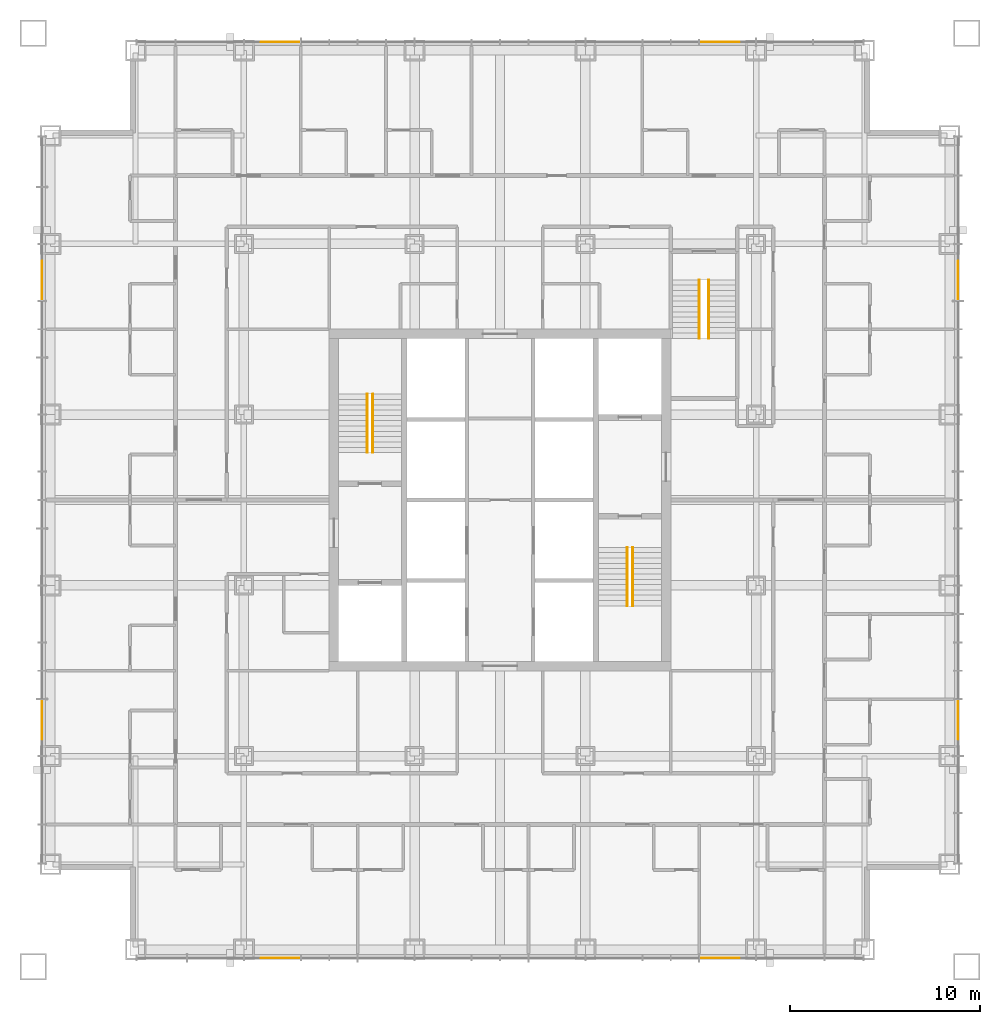
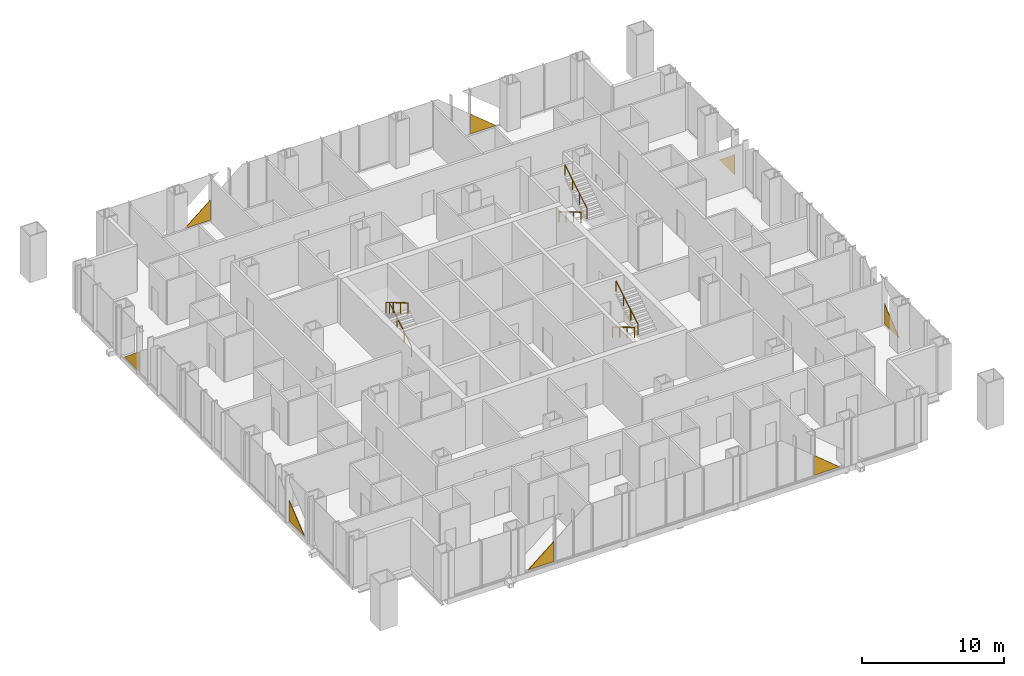
# One storey, part 14 of 16: 8 coverings, 6 railings.
"""IFC4 building model written with IfcOpenShell, lengths in metres."""

from ifc_helpers import new_model, si_unit, direction, frame, origin, origin_2d, place, context, subcontext, project, spatial, polyline, circle, outline, extrude, material, layer, layer_set, type_object, element, save


model = new_model("IFC4")

# Units and contexts
model_context = context("Model", 3, precision=1e-05, world=origin(), true_north=direction((0.0, 1.0)))
body_context = subcontext(model_context, "Body", "Model", "MODEL_VIEW")
ifc_project = project(units=[si_unit("LENGTHUNIT", "METRE"), si_unit("AREAUNIT", "SQUARE_METRE"), si_unit("VOLUMEUNIT", "CUBIC_METRE"), si_unit("PLANEANGLEUNIT", "RADIAN"), si_unit("MASSUNIT", "GRAM", prefix="KILO")], contexts=[model_context])

# Site, building, storey
site_placement = place(None, origin())
site = spatial("IfcSite", under=ifc_project, at=site_placement, CompositionType="ELEMENT")
building_placement = place(site_placement, origin())
building = spatial("IfcBuilding", under=site, at=building_placement, Name="Malebo Sky Hospital", CompositionType="ELEMENT")
storey_placement = place(building_placement, frame((0.0, 0.0, 108.0)))
storey = spatial("IfcBuildingStorey", under=building, at=storey_placement, Name="L25", CompositionType="ELEMENT", Elevation=108.0)

# Coverings
ifc_material_1 = material(Name="Anodised aluminium, natural silver insulated infill panel", Category="aluminium")
ifc_layer = layer(ifc_material_1, 0.0400390625)
ifc_layer_set = layer_set([ifc_layer], Name="BRACE INFILL PANEL 40")
covering_type = type_object("IfcCoveringType", Name="BRACE INFILL PANEL 40", PredefinedType="CLADDING", material=ifc_layer_set)
covering_1_placement = place(storey_placement, frame((48.4130859375, 86.135009765625, 0.10009765625), z_axis=(0.0, 0.0, 1.0), x_axis=(1.0, 0.0, 0.0)))
element("IfcCovering", 1, at=covering_1_placement, inside=storey, type_object=covering_type, Name="Brace infill panel 3.1", PredefinedType="CLADDING", context=body_context, shape_type="SweptSolid", body=[
    extrude(outline(polyline([(-1.04931640625, 0.0), (1.04931640625, 0.0), (1.04931640625, 1.729736328125), (-1.04931640625, 0.0)])), frame((0.0, 0.02001953125, 0.0), z_axis=(0.0, -1.0, 0.0), x_axis=(1.0, 0.0, 0.0)), (0.0, 0.0, 1.0), 0.0400390625),
])
covering_2_placement = place(storey_placement, frame((71.5869140625, 86.135009765625, 0.10009765625), z_axis=(0.0, 0.0, 1.0), x_axis=(1.0, 0.0, 0.0)))
element("IfcCovering", 2, at=covering_2_placement, inside=storey, type_object=covering_type, Name="Brace infill panel 15.1", PredefinedType="CLADDING", context=body_context, shape_type="SweptSolid", body=[
    extrude(outline(polyline([(-1.04931640625, 0.0), (1.04931640625, 0.0), (-1.04931640625, 1.729736328125), (-1.04931640625, 0.0)])), frame((0.0, 0.02001953125, 0.0), z_axis=(0.0, -1.0, 0.0), x_axis=(1.0, 0.0, 0.0)), (0.0, 0.0, 1.0), 0.0400390625),
])
covering_3_placement = place(storey_placement, frame((35.864990234375, 50.4130859375, 0.10009765625), z_axis=(0.0, 0.0, 1.0), x_axis=(0.0, 1.0, 0.0)))
element("IfcCovering", 3, at=covering_3_placement, inside=storey, type_object=covering_type, Name="Brace infill panel 3.1", PredefinedType="CLADDING", context=body_context, shape_type="SweptSolid", body=[
    extrude(outline(polyline([(-1.04931640625, 0.0), (1.04931640625, 0.0), (1.04931640625, 1.729736328125), (-1.04931640625, 0.0)])), frame((0.0, 0.02001953125, 0.0), z_axis=(0.0, -1.0, 0.0), x_axis=(1.0, 0.0, 0.0)), (0.0, 0.0, 1.0), 0.0400390625),
])
covering_4_placement = place(storey_placement, frame((35.864990234375, 73.5869140625, 0.10009765625), z_axis=(0.0, 0.0, 1.0), x_axis=(0.0, 1.0, 0.0)))
element("IfcCovering", 4, at=covering_4_placement, inside=storey, type_object=covering_type, Name="Brace infill panel 14.1", PredefinedType="CLADDING", context=body_context, shape_type="SweptSolid", body=[
    extrude(outline(polyline([(-1.04931640625, 0.0), (1.04931640625, 0.0), (-1.04931640625, 1.729736328125), (-1.04931640625, 0.0)])), frame((0.0, 0.02001953125, 0.0), z_axis=(0.0, -1.0, 0.0), x_axis=(1.0, 0.0, 0.0)), (0.0, 0.0, 1.0), 0.0400390625),
])
covering_5_placement = place(storey_placement, frame((71.5869140625, 37.864990234375, 0.10009765625), z_axis=(0.0, 0.0, 1.0), x_axis=(-1.0, 0.0, 0.0)))
element("IfcCovering", 5, at=covering_5_placement, inside=storey, type_object=covering_type, Name="Brace infill panel 3.1", PredefinedType="CLADDING", context=body_context, shape_type="SweptSolid", body=[
    extrude(outline(polyline([(-1.04931640625, 0.0), (1.04931640625, 0.0), (1.04931640625, 1.729736328125), (-1.04931640625, 0.0)])), frame((0.0, 0.02001953125, 0.0), z_axis=(0.0, -1.0, 0.0), x_axis=(1.0, 0.0, 0.0)), (0.0, 0.0, 1.0), 0.0400390625),
])
covering_6_placement = place(storey_placement, frame((48.4130859375, 37.864990234375, 0.10009765625), z_axis=(0.0, 0.0, 1.0), x_axis=(-1.0, 0.0, 0.0)))
element("IfcCovering", 6, at=covering_6_placement, inside=storey, type_object=covering_type, Name="Brace infill panel 14.1", PredefinedType="CLADDING", context=body_context, shape_type="SweptSolid", body=[
    extrude(outline(polyline([(-1.04931640625, 0.0), (1.04931640625, 0.0), (-1.04931640625, 1.729736328125), (-1.04931640625, 0.0)])), frame((0.0, 0.02001953125, 0.0), z_axis=(0.0, -1.0, 0.0), x_axis=(1.0, 0.0, 0.0)), (0.0, 0.0, 1.0), 0.0400390625),
])
covering_7_placement = place(storey_placement, frame((84.135009765625, 73.5869140625, 0.10009765625), z_axis=(0.0, 0.0, 1.0), x_axis=(0.0, -1.0, 0.0)))
element("IfcCovering", 7, at=covering_7_placement, inside=storey, type_object=covering_type, Name="Brace infill panel 3.1", PredefinedType="CLADDING", context=body_context, shape_type="SweptSolid", body=[
    extrude(outline(polyline([(-1.04931640625, 0.0), (1.04931640625, 0.0), (1.04931640625, 1.729736328125), (-1.04931640625, 0.0)])), frame((0.0, 0.02001953125, 0.0), z_axis=(0.0, -1.0, 0.0), x_axis=(1.0, 0.0, 0.0)), (0.0, 0.0, 1.0), 0.0400390625),
])
covering_8_placement = place(storey_placement, frame((84.135009765625, 50.4130859375, 0.10009765625), z_axis=(0.0, 0.0, 1.0), x_axis=(0.0, -1.0, 0.0)))
element("IfcCovering", 8, at=covering_8_placement, inside=storey, type_object=covering_type, Name="Brace infill panel 15.1", PredefinedType="CLADDING", context=body_context, shape_type="SweptSolid", body=[
    extrude(outline(polyline([(-1.04931640625, 0.0), (1.04931640625, 0.0), (-1.04931640625, 1.729736328125), (-1.04931640625, 0.0)])), frame((0.0, 0.02001953125, 0.0), z_axis=(0.0, -1.0, 0.0), x_axis=(1.0, 0.0, 0.0)), (0.0, 0.0, 1.0), 0.0400390625),
])

# Railings
ifc_material_2 = material(Name="Stainless steel tube", Category="steel")
railing_type = type_object("IfcRailingType", Name="STAIR HANDRAIL 900", PredefinedType="HANDRAIL", material=ifc_material_2)
railing_1_placement = place(storey_placement, frame((53.300048828125, 64.5, 0.166748046875)))
element("IfcRailing", 9, at=railing_1_placement, inside=storey, type_object=railing_type, Name="Stair handrail S1 flight 1", PredefinedType="HANDRAIL", context=body_context, shape_type="SweptSolid", body=[
    extrude(circle(Radius=0.02392578125, at=origin_2d()), frame((0.0, 0.0, 0.8759765625), z_axis=(0.0, 0.859308565015, 0.511457515432), x_axis=(-1.0, 0.0, 0.0)), (0.0, 0.0, 1.0), 3.58447265625),
    extrude(circle(Radius=0.02099609375, at=origin_2d()), origin(), (0.0, 0.0, 1.0), 0.851806640625),
    extrude(circle(Radius=0.02099609375, at=origin_2d()), frame((0.0, 1.026611328125, 0.611083984375)), (0.0, 0.0, 1.0), 0.851806640625),
    extrude(circle(Radius=0.02099609375, at=origin_2d()), frame((0.0, 2.053466796875, 1.22216796875)), (0.0, 0.0, 1.0), 0.851806640625),
    extrude(circle(Radius=0.02099609375, at=origin_2d()), frame((0.0, 3.080078125, 1.833251953125)), (0.0, 0.0, 1.0), 0.851806640625),
])
for number, where, name in (
    (10, (53.0, 67.580078125, 2.166748046875), "Stair handrail S1 flight 2"),
    (11, (66.699951171875, 59.5, 0.166748046875), "Stair handrail S2 flight 1"),
):
    element("IfcRailing", number, at=place(storey_placement, frame(where)), inside=storey, type_object=railing_type, Name=name, PredefinedType="HANDRAIL", context=body_context, shape_type="SweptSolid", body=[
        extrude(circle(Radius=0.02392578125, at=origin_2d()), frame((0.0, 0.0, 0.8759765625), z_axis=(0.0, -0.859308565015, 0.511457515432), x_axis=(1.0, 0.0, 0.0)), (0.0, 0.0, 1.0), 3.58447265625),
        extrude(circle(Radius=0.02099609375, at=origin_2d()), origin(), (0.0, 0.0, 1.0), 0.851806640625),
        extrude(circle(Radius=0.02099609375, at=origin_2d()), frame((0.0, -1.026611328125, 0.611083984375)), (0.0, 0.0, 1.0), 0.851806640625),
        extrude(circle(Radius=0.02099609375, at=origin_2d()), frame((0.0, -2.053466796875, 1.22216796875)), (0.0, 0.0, 1.0), 0.851806640625),
        extrude(circle(Radius=0.02099609375, at=origin_2d()), frame((0.0, -3.080078125, 1.833251953125)), (0.0, 0.0, 1.0), 0.851806640625),
    ])
railing_2_placement = place(storey_placement, frame((67.0, 56.419921875, 2.166748046875)))
element("IfcRailing", 12, at=railing_2_placement, inside=storey, type_object=railing_type, Name="Stair handrail S2 flight 2", PredefinedType="HANDRAIL", context=body_context, shape_type="SweptSolid", body=[
    extrude(circle(Radius=0.02392578125, at=origin_2d()), frame((0.0, 0.0, 0.8759765625), z_axis=(0.0, 0.859308565015, 0.511457515432), x_axis=(-1.0, 0.0, 0.0)), (0.0, 0.0, 1.0), 3.58447265625),
    extrude(circle(Radius=0.02099609375, at=origin_2d()), origin(), (0.0, 0.0, 1.0), 0.851806640625),
    extrude(circle(Radius=0.02099609375, at=origin_2d()), frame((0.0, 1.026611328125, 0.611083984375)), (0.0, 0.0, 1.0), 0.851806640625),
    extrude(circle(Radius=0.02099609375, at=origin_2d()), frame((0.0, 2.053466796875, 1.22216796875)), (0.0, 0.0, 1.0), 0.851806640625),
    extrude(circle(Radius=0.02099609375, at=origin_2d()), frame((0.0, 3.080078125, 1.833251953125)), (0.0, 0.0, 1.0), 0.851806640625),
])
railing_3_placement = place(storey_placement, frame((70.5, 73.60009765625, 0.166748046875)))
element("IfcRailing", 13, at=railing_3_placement, inside=storey, type_object=railing_type, Name="Stair handrail S3 flight 1", PredefinedType="HANDRAIL", context=body_context, shape_type="SweptSolid", body=[
    extrude(circle(Radius=0.02392578125, at=origin_2d()), frame((0.0, 0.0, 0.8759765625), z_axis=(0.0, -0.859308565015, 0.511457515432), x_axis=(1.0, 0.0, 0.0)), (0.0, 0.0, 1.0), 3.58447265625),
    extrude(circle(Radius=0.02099609375, at=origin_2d()), origin(), (0.0, 0.0, 1.0), 0.851806640625),
    extrude(circle(Radius=0.02099609375, at=origin_2d()), frame((0.0, -1.026611328125, 0.611083984375)), (0.0, 0.0, 1.0), 0.851806640625),
    extrude(circle(Radius=0.02099609375, at=origin_2d()), frame((0.0, -2.053466796875, 1.22216796875)), (0.0, 0.0, 1.0), 0.851806640625),
    extrude(circle(Radius=0.02099609375, at=origin_2d()), frame((0.0, -3.080078125, 1.833251953125)), (0.0, 0.0, 1.0), 0.851806640625),
])
railing_4_placement = place(storey_placement, frame((71.0, 70.52001953125, 2.166748046875)))
element("IfcRailing", 14, at=railing_4_placement, inside=storey, type_object=railing_type, Name="Stair handrail S3 flight 2", PredefinedType="HANDRAIL", context=body_context, shape_type="SweptSolid", body=[
    extrude(circle(Radius=0.02392578125, at=origin_2d()), frame((0.0, 0.0, 0.8759765625), z_axis=(0.0, 0.859308565015, 0.511457515432), x_axis=(-1.0, 0.0, 0.0)), (0.0, 0.0, 1.0), 3.58447265625),
    extrude(circle(Radius=0.02099609375, at=origin_2d()), origin(), (0.0, 0.0, 1.0), 0.851806640625),
    extrude(circle(Radius=0.02099609375, at=origin_2d()), frame((0.0, 1.026611328125, 0.611083984375)), (0.0, 0.0, 1.0), 0.851806640625),
    extrude(circle(Radius=0.02099609375, at=origin_2d()), frame((0.0, 2.053466796875, 1.22216796875)), (0.0, 0.0, 1.0), 0.851806640625),
    extrude(circle(Radius=0.02099609375, at=origin_2d()), frame((0.0, 3.080078125, 1.833251953125)), (0.0, 0.0, 1.0), 0.851806640625),
])

save(model, "model.ifc")
